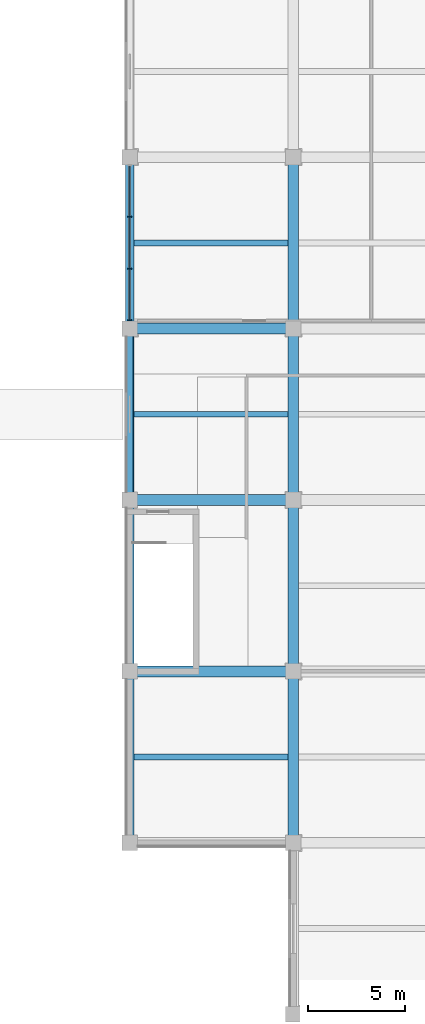
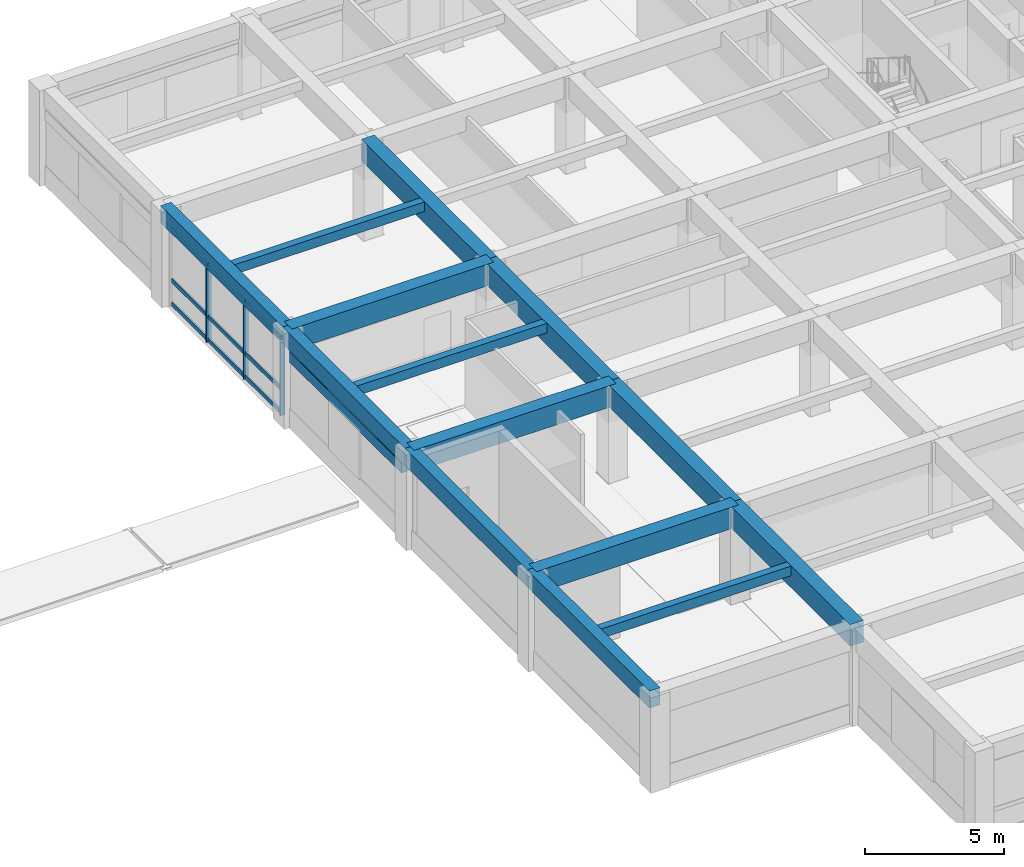
# One storey, part 16 of 46: 15 beams, 12 members, 1 element without a shape of its own.
"""IFC4 building model written with IfcOpenShell, lengths in metres."""

from ifc_helpers import new_model, si_unit, direction, frame, origin, origin_2d, place, context, subcontext, project, spatial, rectangle, extrude, material, material_profile, profile_set, type_object, element, aggregate, save


model = new_model("IFC4")

# Units and contexts
model_context = context("Model", 3, precision=1e-05, world=origin(), true_north=direction((0.0, 1.0)))
body_context = subcontext(model_context, "Body", "Model", "MODEL_VIEW")
ifc_project = project(units=[si_unit("LENGTHUNIT", "METRE"), si_unit("AREAUNIT", "SQUARE_METRE"), si_unit("VOLUMEUNIT", "CUBIC_METRE"), si_unit("PLANEANGLEUNIT", "RADIAN"), si_unit("MASSUNIT", "GRAM", prefix="KILO")], contexts=[model_context])

# Site, building, storey
site_placement = place(None, origin())
site = spatial("IfcSite", under=ifc_project, at=site_placement, CompositionType="ELEMENT")
building_placement = place(site_placement, origin())
building = spatial("IfcBuilding", under=site, at=building_placement, Name="Kemercrest Conservatory and Botanical Centre", CompositionType="ELEMENT")
storey_placement = place(building_placement, frame((0.0, 0.0, 9.0)))
storey = spatial("IfcBuildingStorey", under=building, at=storey_placement, Name="L02", CompositionType="ELEMENT", Elevation=9.0)

# Beams
ifc_material_1 = material(Name="Concrete C50/60", Category="concrete")
ifc_material_profile_1 = material_profile(ifc_material_1, rectangle(XDim=0.550048828125, YDim=0.949951171875, at=origin_2d()), Name="RC 550x950")
ifc_profile_set_1 = profile_set([ifc_material_profile_1], Name="Concrete C50/60")
beam_type_1 = type_object("IfcBeamType", Name="BM-RC95", PredefinedType="BEAM", material=ifc_profile_set_1)
for number, where, z_axis, x_axis, name in (
    (1, (125.60009765625, 87.199951171875, 3.72509765625), (1.0, 0.0, 0.0), (0.0, 1.0, 0.0), "V4-L03 beam BM-RC95 K/15-16"),
    (2, (125.60009765625, 96.0, 3.72509765625), (1.0, 0.0, 0.0), (0.0, 1.0, 0.0), "V4-L03 beam BM-RC95 L/15-16"),
    (3, (125.60009765625, 104.800048828125, 3.72509765625), (1.0, 0.0, 0.0), (0.0, 1.0, 0.0), "V4-L03 beam BM-RC95 M/15-16"),
):
    element("IfcBeam", number, at=place(storey_placement, frame(where, z_axis=z_axis, x_axis=x_axis)), inside=storey, type_object=beam_type_1, Name=name, PredefinedType="BEAM", context=body_context, shape_type="SweptSolid", body=[
        extrude(rectangle(XDim=0.550048828125, YDim=0.949951171875, at=origin_2d()), origin(), (0.0, 0.0, 1.0), 8.39990234375),
    ])
for number, where, z_axis, x_axis, name in (
    (4, (134.0, 78.39990234375, 3.72509765625), (0.0, 1.0, 0.0), (-1.0, 0.0, 0.0), "V4-L03 beam BM-RC95 16/J-K"),
    (5, (134.0, 87.199951171875, 3.72509765625), (0.0, 1.0, 0.0), (-1.0, 0.0, 0.0), "V4-L03 beam BM-RC95 16/K-L"),
    (6, (134.0, 96.0, 3.72509765625), (0.0, 1.0, 0.0), (-1.0, 0.0, 0.0), "V4-L03 beam BM-RC95 16/L-M"),
    (7, (134.0, 104.800048828125, 3.72509765625), (0.0, 1.0, 0.0), (-1.0, 0.0, 0.0), "V4-L03 beam BM-RC95 16/M-N"),
):
    element("IfcBeam", number, at=place(storey_placement, frame(where, z_axis=z_axis, x_axis=x_axis)), inside=storey, type_object=beam_type_1, Name=name, PredefinedType="BEAM", context=body_context, shape_type="SweptSolid", body=[
        extrude(rectangle(XDim=0.550048828125, YDim=0.949951171875, at=origin_2d()), origin(), (0.0, 0.0, 1.0), 8.800048828125),
    ])

# Curtain wall, members
ifc_material_2 = material(Name="Thermally broken aluminium and triple low-e glazing", Category="aluminium")
curtain_wall_type = type_object("IfcCurtainWallType", Name="CW-02", PredefinedType="USERDEFINED", material=ifc_material_2)
curtain_wall_placement = place(storey_placement, origin())
curtain_wall = element("IfcCurtainWall", 8, at=curtain_wall_placement, inside=storey, type_object=curtain_wall_type, Name="Unitised curtain wall CW-02 (CW:L02:V4-061)", ObjectType="UNITISED CURTAIN WALL", PredefinedType="USERDEFINED")
ifc_material_3 = material(Name="Thermally broken anodized aluminium 6063-T6", Category="aluminium")
ifc_material_profile_2 = material_profile(ifc_material_3, rectangle(XDim=0.199951171875, YDim=0.06494140625, at=origin_2d()), Name="AL MULLION 65x200")
ifc_profile_set_2 = profile_set([ifc_material_profile_2], Name="Thermally broken anodized aluminium 6063-T6")
member_type_1 = type_object("IfcMemberType", Name="CW-M200", PredefinedType="MULLION", material=ifc_profile_set_2)
member_1_placement = place(storey_placement, frame((125.60009765625, 110.534912109375, 0.0), z_axis=(0.0, 0.0, 1.0), x_axis=(1.0, 0.0, 0.0)))
member_1 = element("IfcMember", 9, at=member_1_placement, type_object=member_type_1, Name="CW-02 mullion 2", PredefinedType="MULLION", context=body_context, shape_type="SweptSolid", body=[
    extrude(rectangle(XDim=0.199951171875, YDim=0.06494140625, at=origin_2d()), origin(), (0.0, 0.0, 1.0), 3.455078125),
])
member_2_placement = place(storey_placement, frame((125.60009765625, 107.864990234375, 0.0), z_axis=(0.0, 0.0, 1.0), x_axis=(1.0, 0.0, 0.0)))
member_2 = element("IfcMember", 10, at=member_2_placement, type_object=member_type_1, Name="CW-02 mullion 3", PredefinedType="MULLION", context=body_context, shape_type="SweptSolid", body=[
    extrude(rectangle(XDim=0.199951171875, YDim=0.06494140625, at=origin_2d()), origin(), (0.0, 0.0, 1.0), 3.455078125),
])
member_3_placement = place(storey_placement, frame((125.60009765625, 105.2275390625, 0.0), z_axis=(0.0, 0.0, 1.0), x_axis=(1.0, 0.0, 0.0)))
member_3 = element("IfcMember", 11, at=member_3_placement, type_object=member_type_1, Name="CW-02 mullion 4", PredefinedType="MULLION", context=body_context, shape_type="SweptSolid", body=[
    extrude(rectangle(XDim=0.199951171875, YDim=0.06494140625, at=origin_2d()), origin(), (0.0, 0.0, 1.0), 3.455078125),
])
ifc_material_profile_3 = material_profile(ifc_material_3, rectangle(XDim=0.074951171875, YDim=0.179931640625, at=origin_2d()), Name="AL TRANSOM 75x180")
ifc_profile_set_3 = profile_set([ifc_material_profile_3], Name="Thermally broken anodized aluminium 6063-T6")
member_type_2 = type_object("IfcMemberType", Name="CW-T180", PredefinedType="USERDEFINED", material=ifc_profile_set_3)
member_4_placement = place(storey_placement, frame((125.60009765625, 113.139892578125, 0.090087890625), z_axis=(0.0, -1.0, 0.0), x_axis=(1.0, 0.0, 0.0)))
member_4 = element("IfcMember", 12, at=member_4_placement, type_object=member_type_2, Name="CW-02 transom 1.1", ObjectType="TRANSOM", PredefinedType="USERDEFINED", context=body_context, shape_type="SweptSolid", body=[
    extrude(rectangle(XDim=0.074951171875, YDim=0.179931640625, at=origin_2d()), origin(), (0.0, 0.0, 1.0), 2.572509765625),
])
member_5_placement = place(storey_placement, frame((125.60009765625, 113.139892578125, 1.1201171875), z_axis=(0.0, -1.0, 0.0), x_axis=(1.0, 0.0, 0.0)))
member_5 = element("IfcMember", 13, at=member_5_placement, type_object=member_type_2, Name="CW-02 transom 1.2", ObjectType="TRANSOM", PredefinedType="USERDEFINED", context=body_context, shape_type="SweptSolid", body=[
    extrude(rectangle(XDim=0.074951171875, YDim=0.179931640625, at=origin_2d()), origin(), (0.0, 0.0, 1.0), 2.572509765625),
])
member_6_placement = place(storey_placement, frame((125.60009765625, 113.139892578125, 3.364990234375), z_axis=(0.0, -1.0, 0.0), x_axis=(1.0, 0.0, 0.0)))
member_6 = element("IfcMember", 14, at=member_6_placement, type_object=member_type_2, Name="CW-02 transom 1.3", ObjectType="TRANSOM", PredefinedType="USERDEFINED", context=body_context, shape_type="SweptSolid", body=[
    extrude(rectangle(XDim=0.074951171875, YDim=0.179931640625, at=origin_2d()), origin(), (0.0, 0.0, 1.0), 2.572509765625),
])
member_7_placement = place(storey_placement, frame((125.60009765625, 110.50244140625, 0.090087890625), z_axis=(0.0, -1.0, 0.0), x_axis=(1.0, 0.0, 0.0)))
member_7 = element("IfcMember", 15, at=member_7_placement, type_object=member_type_2, Name="CW-02 transom 2.1", ObjectType="TRANSOM", PredefinedType="USERDEFINED", context=body_context, shape_type="SweptSolid", body=[
    extrude(rectangle(XDim=0.074951171875, YDim=0.179931640625, at=origin_2d()), origin(), (0.0, 0.0, 1.0), 2.60498046875),
])
member_8_placement = place(storey_placement, frame((125.60009765625, 110.50244140625, 1.1201171875), z_axis=(0.0, -1.0, 0.0), x_axis=(1.0, 0.0, 0.0)))
member_8 = element("IfcMember", 16, at=member_8_placement, type_object=member_type_2, Name="CW-02 transom 2.2", ObjectType="TRANSOM", PredefinedType="USERDEFINED", context=body_context, shape_type="SweptSolid", body=[
    extrude(rectangle(XDim=0.074951171875, YDim=0.179931640625, at=origin_2d()), origin(), (0.0, 0.0, 1.0), 2.60498046875),
])
member_9_placement = place(storey_placement, frame((125.60009765625, 110.50244140625, 3.364990234375), z_axis=(0.0, -1.0, 0.0), x_axis=(1.0, 0.0, 0.0)))
member_9 = element("IfcMember", 17, at=member_9_placement, type_object=member_type_2, Name="CW-02 transom 2.3", ObjectType="TRANSOM", PredefinedType="USERDEFINED", context=body_context, shape_type="SweptSolid", body=[
    extrude(rectangle(XDim=0.074951171875, YDim=0.179931640625, at=origin_2d()), origin(), (0.0, 0.0, 1.0), 2.60498046875),
])
member_10_placement = place(storey_placement, frame((125.60009765625, 107.83251953125, 0.090087890625), z_axis=(0.0, -1.0, 0.0), x_axis=(1.0, 0.0, 0.0)))
member_10 = element("IfcMember", 18, at=member_10_placement, type_object=member_type_2, Name="CW-02 transom 3.1", ObjectType="TRANSOM", PredefinedType="USERDEFINED", context=body_context, shape_type="SweptSolid", body=[
    extrude(rectangle(XDim=0.074951171875, YDim=0.179931640625, at=origin_2d()), origin(), (0.0, 0.0, 1.0), 2.572509765625),
])
member_11_placement = place(storey_placement, frame((125.60009765625, 107.83251953125, 1.1201171875), z_axis=(0.0, -1.0, 0.0), x_axis=(1.0, 0.0, 0.0)))
member_11 = element("IfcMember", 19, at=member_11_placement, type_object=member_type_2, Name="CW-02 transom 3.2", ObjectType="TRANSOM", PredefinedType="USERDEFINED", context=body_context, shape_type="SweptSolid", body=[
    extrude(rectangle(XDim=0.074951171875, YDim=0.179931640625, at=origin_2d()), origin(), (0.0, 0.0, 1.0), 2.572509765625),
])
member_12_placement = place(storey_placement, frame((125.60009765625, 107.83251953125, 3.364990234375), z_axis=(0.0, -1.0, 0.0), x_axis=(1.0, 0.0, 0.0)))
member_12 = element("IfcMember", 20, at=member_12_placement, type_object=member_type_2, Name="CW-02 transom 3.3", ObjectType="TRANSOM", PredefinedType="USERDEFINED", context=body_context, shape_type="SweptSolid", body=[
    extrude(rectangle(XDim=0.074951171875, YDim=0.179931640625, at=origin_2d()), origin(), (0.0, 0.0, 1.0), 2.572509765625),
])
aggregate(curtain_wall, [member_1, member_2, member_3, member_4, member_5, member_6, member_7, member_8, member_9, member_10, member_11, member_12])

# Beams
ifc_material_4 = material(Name="Concrete C40/50", Category="concrete")
ifc_material_profile_4 = material_profile(ifc_material_4, rectangle(XDim=0.300048828125, YDim=0.419921875, at=origin_2d()), Name="RC 300x420")
ifc_profile_set_4 = profile_set([ifc_material_profile_4], Name="Concrete C40/50")
beam_type_2 = type_object("IfcBeamType", Name="JS-RC42", PredefinedType="JOIST", material=ifc_profile_set_4)
for number, where, z_axis, x_axis, name in (
    (21, (125.824951171875, 82.800048828125, 3.989990234375), (1.0, 0.0, 0.0), (0.0, 1.0, 0.0), "V4-L03 secondary joist JS-RC42"),
    (22, (125.824951171875, 100.39990234375, 3.989990234375), (1.0, 0.0, 0.0), (0.0, 1.0, 0.0), "V4-L03 secondary joist JS-RC42"),
    (23, (125.824951171875, 109.199951171875, 3.989990234375), (1.0, 0.0, 0.0), (0.0, 1.0, 0.0), "V4-L03 secondary joist JS-RC42"),
):
    element("IfcBeam", number, at=place(storey_placement, frame(where, z_axis=z_axis, x_axis=x_axis)), inside=storey, type_object=beam_type_2, Name=name, PredefinedType="JOIST", context=body_context, shape_type="SweptSolid", body=[
        extrude(rectangle(XDim=0.300048828125, YDim=0.419921875, at=origin_2d()), origin(), (0.0, 0.0, 1.0), 7.900146484375),
    ])
ifc_material_5 = material(Name="Precast concrete C40/50", Category="concrete")
ifc_material_profile_5 = material_profile(ifc_material_5, rectangle(XDim=0.35009765625, YDim=0.449951171875, at=origin_2d()), Name="RC 350x450")
ifc_profile_set_5 = profile_set([ifc_material_profile_5], Name="Precast concrete C40/50")
beam_type_3 = type_object("IfcBeamType", Name="LN-RC47", PredefinedType="LINTEL", material=ifc_profile_set_5)
beam_placement = place(storey_placement, frame((125.60009765625, 104.449951171875, 3.10498046875), z_axis=(0.0, -1.0, 0.0), x_axis=(1.0, 0.0, 0.0)))
element("IfcBeam", 24, at=beam_placement, inside=storey, type_object=beam_type_3, Name="Precast arched window lintel (WIN:L02:EXT-205)", PredefinedType="LINTEL", context=body_context, shape_type="SweptSolid", body=[
    extrude(rectangle(XDim=0.35009765625, YDim=0.449951171875, at=origin_2d()), origin(), (0.0, 0.0, 1.0), 8.099853515625),
])
ifc_material_profile_6 = material_profile(ifc_material_4, rectangle(XDim=0.449951171875, YDim=0.75, at=origin_2d()), Name="RC 450x750")
ifc_profile_set_6 = profile_set([ifc_material_profile_6], Name="Concrete C40/50")
beam_type_4 = type_object("IfcBeamType", Name="SP-RC75", PredefinedType="SPANDREL", material=ifc_profile_set_6)
for number, where, z_axis, x_axis, name in (
    (25, (125.60009765625, 78.39990234375, 3.824951171875), (0.0, 1.0, 0.0), (-1.0, 0.0, 0.0), "V4-L03 beam SP-RC75 15/J-K"),
    (26, (125.60009765625, 87.199951171875, 3.824951171875), (0.0, 1.0, 0.0), (-1.0, 0.0, 0.0), "V4-L03 beam SP-RC75 15/K-L"),
    (27, (125.60009765625, 96.0, 3.824951171875), (0.0, 1.0, 0.0), (-1.0, 0.0, 0.0), "V4-L03 beam SP-RC75 15/L-M"),
    (28, (125.60009765625, 104.800048828125, 3.824951171875), (0.0, 1.0, 0.0), (-1.0, 0.0, 0.0), "V4-L03 beam SP-RC75 15/M-N"),
):
    element("IfcBeam", number, at=place(storey_placement, frame(where, z_axis=z_axis, x_axis=x_axis)), inside=storey, type_object=beam_type_4, Name=name, PredefinedType="SPANDREL", context=body_context, shape_type="SweptSolid", body=[
        extrude(rectangle(XDim=0.449951171875, YDim=0.75, at=origin_2d()), origin(), (0.0, 0.0, 1.0), 8.800048828125),
    ])

save(model, "model.ifc")
